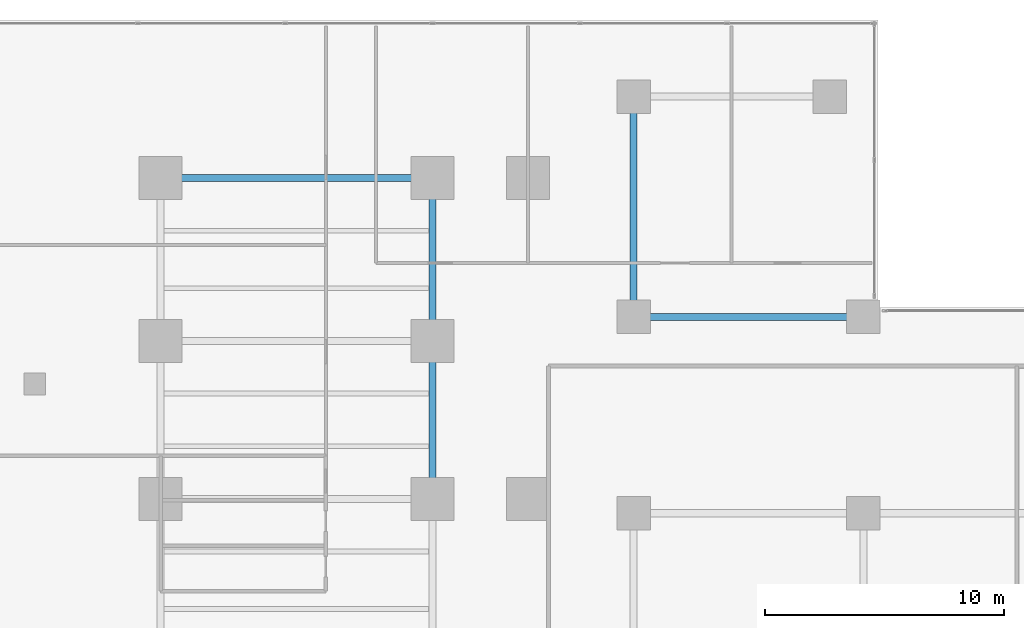
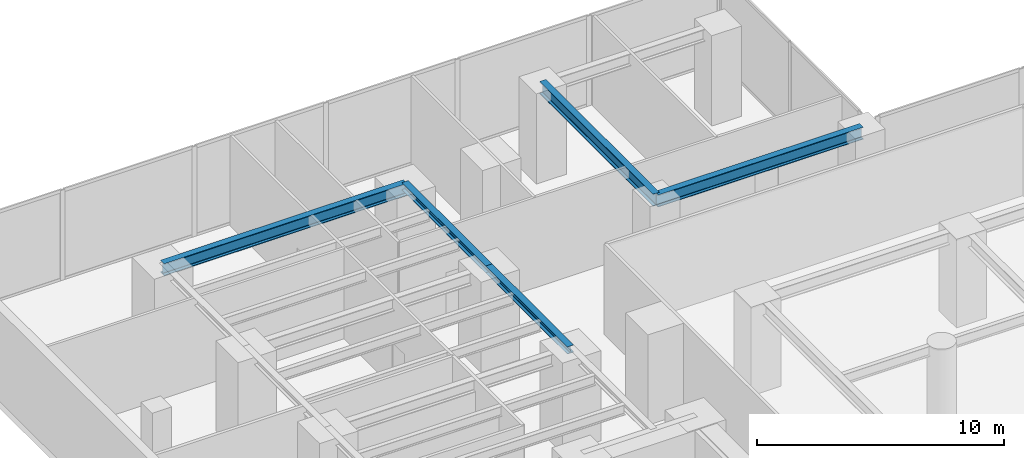
# One storey, part 2 of 16: 5 beams.
"""IFC4 building model written with IfcOpenShell, lengths in metres."""

from ifc_helpers import new_model, si_unit, direction, frame, origin, origin_2d, place, context, subcontext, project, spatial, i_section, extrude, material, material_profile, profile_set, type_object, element, save


model = new_model("IFC4")

# Units and contexts
model_context = context("Model", 3, precision=1e-05, world=origin(), true_north=direction((0.0, 1.0)))
body_context = subcontext(model_context, "Body", "Model", "MODEL_VIEW")
ifc_project = project(units=[si_unit("LENGTHUNIT", "METRE"), si_unit("AREAUNIT", "SQUARE_METRE"), si_unit("VOLUMEUNIT", "CUBIC_METRE"), si_unit("PLANEANGLEUNIT", "RADIAN"), si_unit("MASSUNIT", "GRAM", prefix="KILO")], contexts=[model_context])

# Site, building, storey
site_placement = place(None, origin())
site = spatial("IfcSite", under=ifc_project, at=site_placement, CompositionType="ELEMENT")
building_placement = place(site_placement, origin())
building = spatial("IfcBuilding", under=site, at=building_placement, Name="Kolvaren Waterfront Exchange", CompositionType="ELEMENT")
storey_placement = place(building_placement, frame((0.0, 0.0, 20.0)))
storey = spatial("IfcBuildingStorey", under=building, at=storey_placement, Name="L05", CompositionType="ELEMENT", Elevation=20.0)

# Beams
ifc_material = material(Name="Steel S355", Category="steel")
ifc_material_profile_1 = material_profile(ifc_material, i_section(OverallWidth=0.300048828125, OverallDepth=0.360107421875, WebThickness=0.012451171875, FlangeThickness=0.0224609375, FilletRadius=0.027099609375, at=origin_2d()), Name="HEB360")
ifc_profile_set_1 = profile_set([ifc_material_profile_1], Name="Steel S355")
beam_type_1 = type_object("IfcBeamType", Name="STR-BM-HEB360", PredefinedType="SPANDREL", material=ifc_profile_set_1)
beam_1_placement = place(storey_placement, frame((18.800048828125, 31.199951171875, 4.280029296875), z_axis=(0.0, 1.0, 0.0), x_axis=(-1.0, 0.0, 0.0)))
element("IfcBeam", 1, at=beam_1_placement, inside=storey, type_object=beam_type_1, Name="L05 north-arm edge beam 2", PredefinedType="SPANDREL", context=body_context, shape_type="SweptSolid", body=[
    extrude(i_section(OverallWidth=0.300048828125, OverallDepth=0.360107421875, WebThickness=0.012451171875, FlangeThickness=0.0224609375, FilletRadius=0.027099609375, at=origin_2d()), origin(), (0.0, 0.0, 1.0), 6.60009765625),
])
beam_2_placement = place(storey_placement, frame((18.800048828125, 37.800048828125, 4.280029296875), z_axis=(0.0, 1.0, 0.0), x_axis=(-1.0, 0.0, 0.0)))
element("IfcBeam", 2, at=beam_2_placement, inside=storey, type_object=beam_type_1, Name="L05 north-arm edge beam 3", PredefinedType="SPANDREL", context=body_context, shape_type="SweptSolid", body=[
    extrude(i_section(OverallWidth=0.300048828125, OverallDepth=0.360107421875, WebThickness=0.012451171875, FlangeThickness=0.0224609375, FilletRadius=0.027099609375, at=origin_2d()), origin(), (0.0, 0.0, 1.0), 6.800048828125),
])
ifc_material_profile_2 = material_profile(ifc_material, i_section(OverallWidth=0.300048828125, OverallDepth=0.60009765625, WebThickness=0.015380859375, FlangeThickness=0.030029296875, FilletRadius=0.027099609375, at=origin_2d()), Name="HEB600")
ifc_profile_set_2 = profile_set([ifc_material_profile_2], Name="Steel S355")
beam_type_2 = type_object("IfcBeamType", Name="STR-BM-HEB600", PredefinedType="BEAM", material=ifc_profile_set_2)
beam_3_placement = place(storey_placement, frame((7.449951171875, 44.60009765625, 4.159912109375), z_axis=(1.0, 0.0, 0.0), x_axis=(0.0, 1.0, 0.0)))
element("IfcBeam", 3, at=beam_3_placement, inside=storey, type_object=beam_type_2, Name="L05 north-arm girder 4", PredefinedType="BEAM", context=body_context, shape_type="SweptSolid", body=[
    extrude(i_section(OverallWidth=0.300048828125, OverallDepth=0.60009765625, WebThickness=0.015380859375, FlangeThickness=0.030029296875, FilletRadius=0.027099609375, at=origin_2d()), origin(), (0.0, 0.0, 1.0), 11.35009765625),
])
beam_4_placement = place(storey_placement, frame((27.199951171875, 38.800048828125, 4.159912109375), z_axis=(1.0, 0.0, 0.0), x_axis=(0.0, 1.0, 0.0)))
element("IfcBeam", 4, at=beam_4_placement, inside=storey, type_object=beam_type_2, Name="L05 podium north girder 1", PredefinedType="BEAM", context=body_context, shape_type="SweptSolid", body=[
    extrude(i_section(OverallWidth=0.300048828125, OverallDepth=0.60009765625, WebThickness=0.015380859375, FlangeThickness=0.030029296875, FilletRadius=0.027099609375, at=origin_2d()), origin(), (0.0, 0.0, 1.0), 9.60009765625),
])
beam_5_placement = place(storey_placement, frame((27.199951171875, 38.800048828125, 4.159912109375), z_axis=(0.0, 1.0, 0.0), x_axis=(-1.0, 0.0, 0.0)))
element("IfcBeam", 5, at=beam_5_placement, inside=storey, type_object=beam_type_2, Name="L05 podium west-link girder", PredefinedType="BEAM", context=body_context, shape_type="SweptSolid", body=[
    extrude(i_section(OverallWidth=0.300048828125, OverallDepth=0.60009765625, WebThickness=0.015380859375, FlangeThickness=0.030029296875, FilletRadius=0.027099609375, at=origin_2d()), origin(), (0.0, 0.0, 1.0), 9.199951171875),
])

save(model, "model.ifc")
